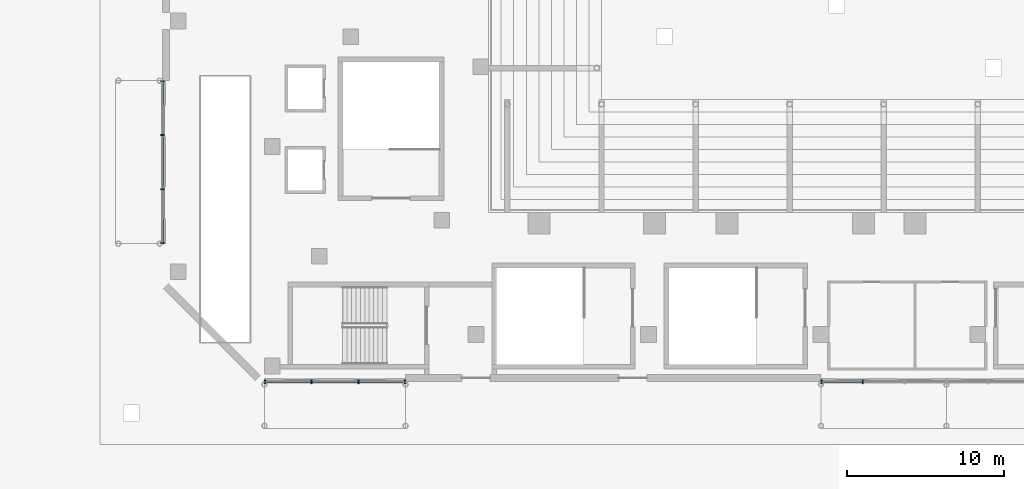
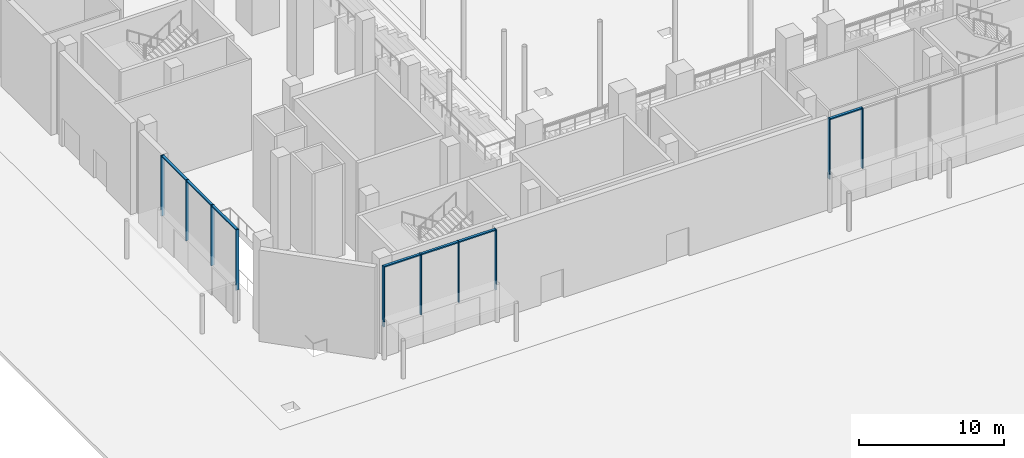
# One storey, part 15 of 41: 17 members, 3 elements without a shape of their own.
"""IFC4 building model written with IfcOpenShell, lengths in metres."""

import ifcopenshell
import ifcopenshell.guid

model = None  # the IFC model being written
_history = None  # IfcOwnerHistory: only IFC2X3 demands one
_inside = {}  # id of a spatial element -> (the spatial element, [elements in it])
_under = {}  # id of a project, library or spatial element -> (it, [spatial elements below it])
_declared = {}  # id of a project -> (the project, [libraries it declares])
_typed = {}  # id of a type object -> (the type object, [elements of that type])
_made_of = {}  # id of a material, layer set ... -> (it, [elements and type objects made of it])


def new_model(schema):
    """Start an empty IFC model of exactly this schema.

    Asked for "IFC4X3", IfcOpenShell would pick the latest addendum, in which some entities
    have other attributes; the version numbers below select the first issue.
    IFC2X3 requires an IfcOwnerHistory on every rooted entity: one is made here for all.
    """
    global model, _history
    if schema == "IFC4X3":
        model = ifcopenshell.file(schema_version=(4, 3, 0, 0))
    else:
        model = ifcopenshell.file(schema=schema)
    _inside.clear()
    _under.clear()
    _declared.clear()
    _typed.clear()
    _made_of.clear()
    _history = None
    if model.schema == "IFC2X3":
        org = make("IfcOrganization", Name="unknown")
        user = make(
            "IfcPersonAndOrganization",
            ThePerson=make("IfcPerson", FamilyName="unknown"),
            TheOrganization=org,
        )
        app = make(
            "IfcApplication",
            ApplicationDeveloper=org,
            Version="unknown",
            ApplicationFullName="unknown",
            ApplicationIdentifier="unknown",
        )
        _history = make(
            "IfcOwnerHistory",
            OwningUser=user,
            OwningApplication=app,
            ChangeAction="ADDED",
            CreationDate=0,
        )
    return model


def make(cls, **values):
    """One entity of the class cls with the attributes given. An attribute that is None is left unset."""
    return model.create_entity(
        cls, **{name: value for name, value in values.items() if value is not None}
    )


def rooted(cls, **values):
    """An entity with a GlobalId (a new one), such as an element, a storey or a relation."""
    return make(cls, GlobalId=ifcopenshell.guid.new(), OwnerHistory=_history, **values)


def si_unit(unit_type, name, prefix=None):
    """IfcSIUnit, for example si_unit("LENGTHUNIT", "METRE", prefix="MILLI")."""
    return make("IfcSIUnit", UnitType=unit_type, Prefix=prefix, Name=name)


def assignment(units):
    """IfcUnitAssignment: the units of a project."""
    return None if units is None else make("IfcUnitAssignment", Units=units)


def point(xyz):
    """IfcCartesianPoint."""
    return None if xyz is None else make("IfcCartesianPoint", Coordinates=xyz)


def direction(xyz):
    """IfcDirection."""
    return None if xyz is None else make("IfcDirection", DirectionRatios=xyz)


def frame(location, z_axis=None, x_axis=None):
    """IfcAxis2Placement3D, a coordinate frame: its origin and axes. An axis left out is left unset."""
    return make(
        "IfcAxis2Placement3D",
        Location=point(location),
        Axis=direction(z_axis),
        RefDirection=direction(x_axis),
    )


def frame_2d(location, x_axis=None):
    """IfcAxis2Placement2D, a coordinate frame in the plane: its origin and x axis."""
    return make(
        "IfcAxis2Placement2D", Location=point(location), RefDirection=direction(x_axis)
    )


def origin():
    """The frame at (0, 0, 0) with its axes left unset."""
    return frame((0.0, 0.0, 0.0))


def origin_2d():
    """The frame at (0, 0) in the plane with its x axis left unset."""
    return frame_2d((0.0, 0.0))


def place(relative_to, where):
    """IfcLocalPlacement: puts the frame where relative to a parent placement (None: the world)."""
    return make(
        "IfcLocalPlacement", PlacementRelTo=relative_to, RelativePlacement=where
    )


def context(
    kind, dimensions, precision=None, world=None, true_north=None, identifier=None
):
    """IfcGeometricRepresentationContext, for example the 3D "Model" context."""
    return make(
        "IfcGeometricRepresentationContext",
        ContextIdentifier=identifier,
        ContextType=kind,
        CoordinateSpaceDimension=dimensions,
        Precision=precision,
        WorldCoordinateSystem=world,
        TrueNorth=true_north,
    )


def subcontext(parent, identifier, kind, view, scale=None):
    """IfcGeometricRepresentationSubContext, for example "Body" below "Model"."""
    return make(
        "IfcGeometricRepresentationSubContext",
        ContextIdentifier=identifier,
        ContextType=kind,
        ParentContext=parent,
        TargetScale=scale,
        TargetView=view,
    )


def project(units=None, contexts=None):
    """IfcProject with its units and contexts."""
    return rooted(
        "IfcProject",
        Name="project",
        RepresentationContexts=contexts,
        UnitsInContext=assignment(units),
    )


def spatial(cls, under=None, at=None, **own):
    """A site, building, storey or space (cls), placed at a placement, below another one or the project."""
    s = rooted(cls, ObjectPlacement=at, **own)
    if under is not None:
        _under.setdefault(under.id(), (under, []))[1].append(s)
    return s


def profile(cls, at=None, kind="AREA", **sizes):
    """A parametric profile (cls). Its sizes go by their IFC names, for example OverallWidth=200.0."""
    return make(cls, ProfileType=kind, Position=at, **sizes)


def rectangle(**sizes):
    """IfcRectangleProfileDef."""
    return profile("IfcRectangleProfileDef", **sizes)


def extrude(swept, where, along, depth):
    """IfcExtrudedAreaSolid: the profile swept, set in the frame where, extruded along a direction by depth."""
    return make(
        "IfcExtrudedAreaSolid",
        SweptArea=swept,
        Position=where,
        ExtrudedDirection=direction(along),
        Depth=depth,
    )


def shape(context_of_items, identifier, shape_type, items):
    """IfcShapeRepresentation: the items that make up one representation, for example the "Body"."""
    return make(
        "IfcShapeRepresentation",
        ContextOfItems=context_of_items,
        RepresentationIdentifier=identifier,
        RepresentationType=shape_type,
        Items=items,
    )


def material(Name=None, Category=None):
    """IfcMaterial."""
    return make("IfcMaterial", Name=Name, Category=Category)


def material_profile(
    of_material, cross_section, Name=None, Category=None, Priority=None
):
    """IfcMaterialProfile: a cross section and its material."""
    return make(
        "IfcMaterialProfile",
        Name=Name,
        Material=of_material,
        Profile=cross_section,
        Priority=Priority,
        Category=Category,
    )


def profile_set(profiles, Name=None, composite=None):
    """IfcMaterialProfileSet."""
    return make(
        "IfcMaterialProfileSet",
        Name=Name,
        MaterialProfiles=profiles,
        CompositeProfile=composite,
    )


def made_of(thing, what):
    """Note that an element or type object is made of a material, layer set ...; save() writes the relation."""
    if what is not None:
        _made_of.setdefault(what.id(), (what, []))[1].append(thing)
    return thing


def type_object(cls, material=None, **own):
    """A type object (cls), such as IfcWallType, which elements share."""
    return made_of(rooted(cls, **own), material)


def element(
    cls,
    number,
    at=None,
    inside=None,
    cuts=None,
    type_object=None,
    material=None,
    context=None,
    identifier="Body",
    shape_type=None,
    held_by="IfcProductDefinitionShape",
    body=None,
    shapes=None,
    **own,
):
    """One element of the class cls, such as IfcWall. Its Tag is "e" and its number.

    at: its placement. inside: the storey or other place that contains it. cuts: it is an
    opening in that element (IfcRelVoidsElement). A single representation is given by context,
    identifier, shape_type and body (its items); several are given by shapes. held_by: the class
    of the entity that holds the representations. save() writes the other relations.
    """
    e = rooted(cls, Tag="e%d" % number, ObjectPlacement=at, **own)
    if body is not None:
        shapes = [shape(context, identifier, shape_type, body)]
    if shapes is not None:
        e.Representation = make(held_by, Representations=shapes)
    if inside is not None:
        _inside.setdefault(inside.id(), (inside, []))[1].append(e)
    if cuts is not None:
        rooted(
            "IfcRelVoidsElement", RelatingBuildingElement=cuts, RelatedOpeningElement=e
        )
    if type_object is not None:
        _typed.setdefault(type_object.id(), (type_object, []))[1].append(e)
    return made_of(e, material)


def aggregate(whole, parts):
    """IfcRelAggregates: a whole, such as a stair, and the parts it consists of."""
    return rooted("IfcRelAggregates", RelatingObject=whole, RelatedObjects=parts)


def save(model, path):
    """Write the relations noted so far, then the file.

    IfcRelAggregates (storeys below a building ...), IfcRelContainedInSpatialStructure (elements
    in a storey), IfcRelDefinesByType, IfcRelAssociatesMaterial and IfcRelDeclares: one each for
    every whole, place, type object, material and project.
    """
    for whole, parts in _under.values():
        aggregate(whole, parts)
    for where, things in _inside.values():
        rooted(
            "IfcRelContainedInSpatialStructure",
            RelatedElements=things,
            RelatingStructure=where,
        )
    for kind, things in _typed.values():
        rooted("IfcRelDefinesByType", RelatedObjects=things, RelatingType=kind)
    for what, things in _made_of.values():
        rooted("IfcRelAssociatesMaterial", RelatedObjects=things, RelatingMaterial=what)
    for by, libraries in _declared.values():
        rooted("IfcRelDeclares", RelatingContext=by, RelatedDefinitions=libraries)
    model.write(path)


model = new_model("IFC4")

# Units and contexts
model_context = context("Model", 3, precision=1e-05, world=origin(), true_north=direction((0.0, 1.0)))
body_context = subcontext(model_context, "Body", "Model", "MODEL_VIEW")
ifc_project = project(units=[si_unit("LENGTHUNIT", "METRE"), si_unit("AREAUNIT", "SQUARE_METRE"), si_unit("VOLUMEUNIT", "CUBIC_METRE"), si_unit("PLANEANGLEUNIT", "RADIAN"), si_unit("MASSUNIT", "GRAM", prefix="KILO")], contexts=[model_context])

# Site, building, storey
site_placement = place(None, origin())
site = spatial("IfcSite", under=ifc_project, at=site_placement, CompositionType="ELEMENT")
building_placement = place(site_placement, origin())
building = spatial("IfcBuilding", under=site, at=building_placement, Name="Wharfspan Tower", CompositionType="ELEMENT")
storey_placement = place(building_placement, origin())
storey = spatial("IfcBuildingStorey", under=building, at=storey_placement, Name="L00", CompositionType="ELEMENT", Elevation=0.0)

# Curtain wall, members
ifc_material = material(Name="Aluminium 6063-T6", Category="aluminium")
curtain_wall_type = type_object("IfcCurtainWallType", Name="CURTAIN WALL STATION SCREEN", PredefinedType="NOTDEFINED", material=ifc_material)
curtain_wall_1_placement = place(storey_placement, origin())
curtain_wall_1 = element("IfcCurtainWall", 1, at=curtain_wall_1_placement, inside=storey, type_object=curtain_wall_type, Name="Station entrance screen PF1.1", PredefinedType="NOTDEFINED")
ifc_material_profile_1 = material_profile(ifc_material, rectangle(XDim=0.25, YDim=0.080078, at=origin_2d()))
ifc_profile_set_1 = profile_set([ifc_material_profile_1], Name="Aluminium 6063-T6")
member_type_1 = type_object("IfcMemberType", Name="MULLION STATION SCREEN 80x250", PredefinedType="MULLION", material=ifc_profile_set_1)
member_1_placement = place(storey_placement, frame((30.040039, -32.0, 2.600098), z_axis=(0.0, 0.0, 1.0), x_axis=(0.0, 1.0, 0.0)))
member_1 = element("IfcMember", 2, at=member_1_placement, type_object=member_type_1, Name="Station entrance screen PF1.1 mullion 1", PredefinedType="MULLION", context=body_context, shape_type="SweptSolid", body=[
    extrude(rectangle(XDim=0.25, YDim=0.080078, at=origin_2d()), origin(), (0.0, 0.0, 1.0), 5.099854),
])
member_2_placement = place(storey_placement, frame((32.666748, -32.0, 2.600098), z_axis=(0.0, 0.0, 1.0), x_axis=(0.0, 1.0, 0.0)))
member_2 = element("IfcMember", 3, at=member_2_placement, type_object=member_type_1, Name="Station entrance screen PF1.1 mullion 2", PredefinedType="MULLION", context=body_context, shape_type="SweptSolid", body=[
    extrude(rectangle(XDim=0.25, YDim=0.080078, at=origin_2d()), origin(), (0.0, 0.0, 1.0), 5.099854),
])

curtain_wall_2_placement = place(storey_placement, origin())
curtain_wall_2 = element("IfcCurtainWall", 4, at=curtain_wall_2_placement, inside=storey, type_object=curtain_wall_type, Name="Station entrance screen PF1.5", PredefinedType="NOTDEFINED")
member_3_placement = place(storey_placement, frame((-5.459961, -32.0, 2.600098), z_axis=(0.0, 0.0, 1.0), x_axis=(0.0, 1.0, 0.0)))
member_3 = element("IfcMember", 5, at=member_3_placement, type_object=member_type_1, Name="Station entrance screen PF1.5 mullion 1", PredefinedType="MULLION", context=body_context, shape_type="SweptSolid", body=[
    extrude(rectangle(XDim=0.25, YDim=0.080078, at=origin_2d()), origin(), (0.0, 0.0, 1.0), 5.099854),
])
member_4_placement = place(storey_placement, frame((-2.5, -32.0, 2.600098), z_axis=(0.0, 0.0, 1.0), x_axis=(0.0, 1.0, 0.0)))
member_4 = element("IfcMember", 6, at=member_4_placement, type_object=member_type_1, Name="Station entrance screen PF1.5 mullion 2", PredefinedType="MULLION", context=body_context, shape_type="SweptSolid", body=[
    extrude(rectangle(XDim=0.25, YDim=0.080078, at=origin_2d()), origin(), (0.0, 0.0, 1.0), 5.099854),
])
member_5_placement = place(storey_placement, frame((0.5, -32.0, 2.600098), z_axis=(0.0, 0.0, 1.0), x_axis=(0.0, 1.0, 0.0)))
member_5 = element("IfcMember", 7, at=member_5_placement, type_object=member_type_1, Name="Station entrance screen PF1.5 mullion 3", PredefinedType="MULLION", context=body_context, shape_type="SweptSolid", body=[
    extrude(rectangle(XDim=0.25, YDim=0.080078, at=origin_2d()), origin(), (0.0, 0.0, 1.0), 5.099854),
])
member_6_placement = place(storey_placement, frame((3.459961, -32.0, 2.600098), z_axis=(0.0, 0.0, 1.0), x_axis=(0.0, 1.0, 0.0)))
member_6 = element("IfcMember", 8, at=member_6_placement, type_object=member_type_1, Name="Station entrance screen PF1.5 mullion 4", PredefinedType="MULLION", context=body_context, shape_type="SweptSolid", body=[
    extrude(rectangle(XDim=0.25, YDim=0.080078, at=origin_2d()), origin(), (0.0, 0.0, 1.0), 5.099854),
])

curtain_wall_3_placement = place(storey_placement, origin())
curtain_wall_3 = element("IfcCurtainWall", 9, at=curtain_wall_3_placement, inside=storey, type_object=curtain_wall_type, Name="Station entrance screen PF12.1", PredefinedType="NOTDEFINED")
member_7_placement = place(storey_placement, frame((-12.0, -12.840088, 2.600098), z_axis=(0.0, 0.0, 1.0), x_axis=(1.0, 0.0, 0.0)))
member_7 = element("IfcMember", 10, at=member_7_placement, type_object=member_type_1, Name="Station entrance screen PF12.1 mullion 1", PredefinedType="MULLION", context=body_context, shape_type="SweptSolid", body=[
    extrude(rectangle(XDim=0.25, YDim=0.080078, at=origin_2d()), origin(), (0.0, 0.0, 1.0), 5.099854),
])
member_8_placement = place(storey_placement, frame((-12.0, -16.266602, 2.600098), z_axis=(0.0, 0.0, 1.0), x_axis=(1.0, 0.0, 0.0)))
member_8 = element("IfcMember", 11, at=member_8_placement, type_object=member_type_1, Name="Station entrance screen PF12.1 mullion 2", PredefinedType="MULLION", context=body_context, shape_type="SweptSolid", body=[
    extrude(rectangle(XDim=0.25, YDim=0.080078, at=origin_2d()), origin(), (0.0, 0.0, 1.0), 5.099854),
])
member_9_placement = place(storey_placement, frame((-12.0, -19.733398, 2.600098), z_axis=(0.0, 0.0, 1.0), x_axis=(1.0, 0.0, 0.0)))
member_9 = element("IfcMember", 12, at=member_9_placement, type_object=member_type_1, Name="Station entrance screen PF12.1 mullion 3", PredefinedType="MULLION", context=body_context, shape_type="SweptSolid", body=[
    extrude(rectangle(XDim=0.25, YDim=0.080078, at=origin_2d()), origin(), (0.0, 0.0, 1.0), 5.099854),
])
member_10_placement = place(storey_placement, frame((-12.0, -23.159912, 2.600098), z_axis=(0.0, 0.0, 1.0), x_axis=(1.0, 0.0, 0.0)))
member_10 = element("IfcMember", 13, at=member_10_placement, type_object=member_type_1, Name="Station entrance screen PF12.1 mullion 4", PredefinedType="MULLION", context=body_context, shape_type="SweptSolid", body=[
    extrude(rectangle(XDim=0.25, YDim=0.080078, at=origin_2d()), origin(), (0.0, 0.0, 1.0), 5.099854),
])

# Member
ifc_material_profile_2 = material_profile(ifc_material, rectangle(XDim=0.199951, YDim=0.100098, at=origin_2d()))
ifc_profile_set_2 = profile_set([ifc_material_profile_2], Name="Aluminium 6063-T6")
member_type_2 = type_object("IfcMemberType", Name="TRANSOM STATION SCREEN 100x200", PredefinedType="USERDEFINED", material=ifc_profile_set_2)
member_11_placement = place(storey_placement, frame((30.080078, -32.0, 7.649902), z_axis=(1.0, 0.0, 0.0), x_axis=(0.0, 1.0, 0.0)))
member_11 = element("IfcMember", 14, at=member_11_placement, type_object=member_type_2, Name="Station entrance screen PF1.1 transom 1", ObjectType="TRANSOM", PredefinedType="USERDEFINED", context=body_context, shape_type="SweptSolid", body=[
    extrude(rectangle(XDim=0.199951, YDim=0.100098, at=origin_2d()), origin(), (0.0, 0.0, 1.0), 2.546631),
])

aggregate(curtain_wall_1, [member_1, member_2, member_11])

member_12_placement = place(storey_placement, frame((-5.419922, -32.0, 7.649902), z_axis=(1.0, 0.0, 0.0), x_axis=(0.0, 1.0, 0.0)))
member_12 = element("IfcMember", 15, at=member_12_placement, type_object=member_type_2, Name="Station entrance screen PF1.5 transom 1", ObjectType="TRANSOM", PredefinedType="USERDEFINED", context=body_context, shape_type="SweptSolid", body=[
    extrude(rectangle(XDim=0.199951, YDim=0.100098, at=origin_2d()), origin(), (0.0, 0.0, 1.0), 2.879883),
])

member_13_placement = place(storey_placement, frame((-2.459961, -32.0, 7.649902), z_axis=(1.0, 0.0, 0.0), x_axis=(0.0, 1.0, 0.0)))
member_13 = element("IfcMember", 16, at=member_13_placement, type_object=member_type_2, Name="Station entrance screen PF1.5 transom 2", ObjectType="TRANSOM", PredefinedType="USERDEFINED", context=body_context, shape_type="SweptSolid", body=[
    extrude(rectangle(XDim=0.199951, YDim=0.100098, at=origin_2d()), origin(), (0.0, 0.0, 1.0), 2.919922),
])

member_14_placement = place(storey_placement, frame((0.540039, -32.0, 7.649902), z_axis=(1.0, 0.0, 0.0), x_axis=(0.0, 1.0, 0.0)))
member_14 = element("IfcMember", 17, at=member_14_placement, type_object=member_type_2, Name="Station entrance screen PF1.5 transom 3", ObjectType="TRANSOM", PredefinedType="USERDEFINED", context=body_context, shape_type="SweptSolid", body=[
    extrude(rectangle(XDim=0.199951, YDim=0.100098, at=origin_2d()), origin(), (0.0, 0.0, 1.0), 2.879883),
])

aggregate(curtain_wall_2, [member_3, member_4, member_5, member_6, member_12, member_13, member_14])

member_15_placement = place(storey_placement, frame((-12.0, -12.879883, 7.649902), z_axis=(0.0, -1.0, 0.0), x_axis=(1.0, 0.0, 0.0)))
member_15 = element("IfcMember", 18, at=member_15_placement, type_object=member_type_2, Name="Station entrance screen PF12.1 transom 1", ObjectType="TRANSOM", PredefinedType="USERDEFINED", context=body_context, shape_type="SweptSolid", body=[
    extrude(rectangle(XDim=0.199951, YDim=0.100098, at=origin_2d()), origin(), (0.0, 0.0, 1.0), 3.34668),
])

member_16_placement = place(storey_placement, frame((-12.0, -16.306641, 7.649902), z_axis=(0.0, -1.0, 0.0), x_axis=(1.0, 0.0, 0.0)))
member_16 = element("IfcMember", 19, at=member_16_placement, type_object=member_type_2, Name="Station entrance screen PF12.1 transom 2", ObjectType="TRANSOM", PredefinedType="USERDEFINED", context=body_context, shape_type="SweptSolid", body=[
    extrude(rectangle(XDim=0.199951, YDim=0.100098, at=origin_2d()), origin(), (0.0, 0.0, 1.0), 3.386719),
])

member_17_placement = place(storey_placement, frame((-12.0, -19.773438, 7.649902), z_axis=(0.0, -1.0, 0.0), x_axis=(1.0, 0.0, 0.0)))
member_17 = element("IfcMember", 20, at=member_17_placement, type_object=member_type_2, Name="Station entrance screen PF12.1 transom 3", ObjectType="TRANSOM", PredefinedType="USERDEFINED", context=body_context, shape_type="SweptSolid", body=[
    extrude(rectangle(XDim=0.199951, YDim=0.100098, at=origin_2d()), origin(), (0.0, 0.0, 1.0), 3.34668),
])

aggregate(curtain_wall_3, [member_7, member_8, member_9, member_10, member_15, member_16, member_17])

save(model, "model.ifc")
